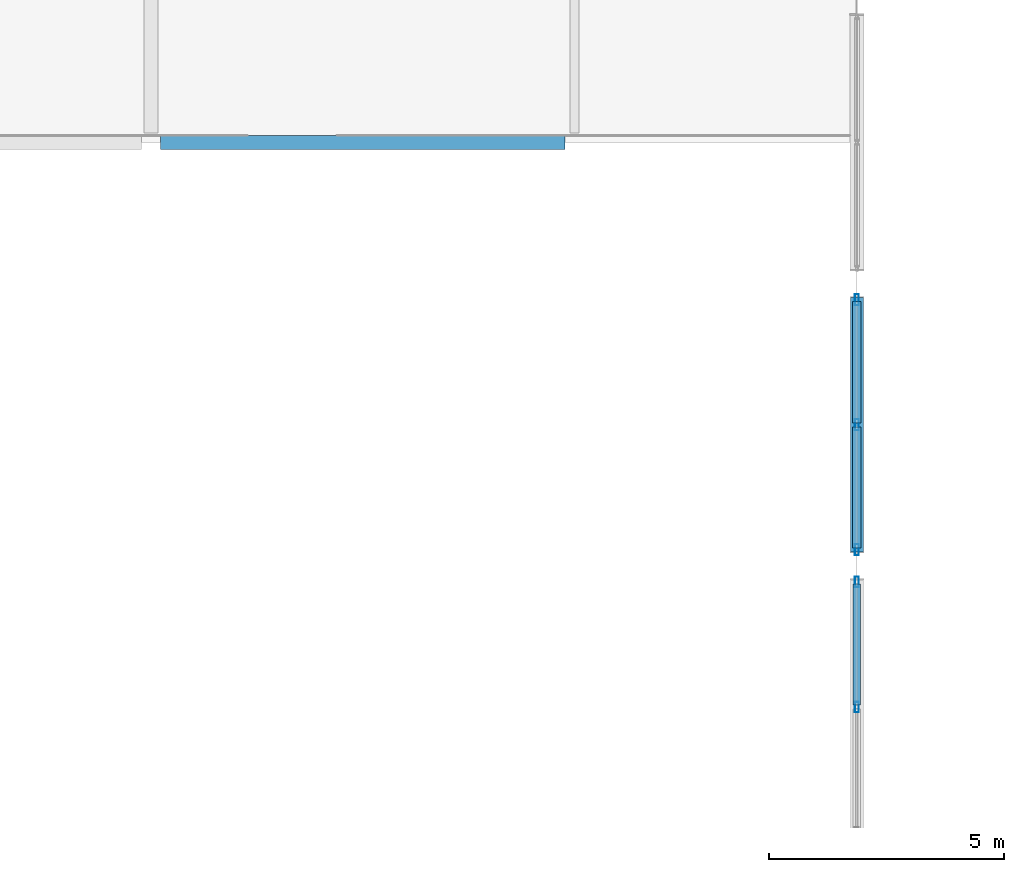
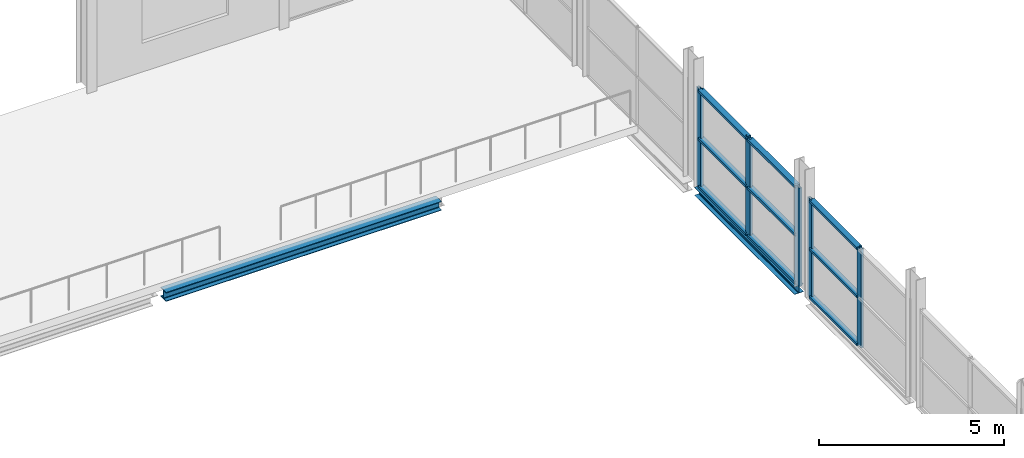
# One storey, part 34 of 135: 14 members, 2 beams, 2 elements without a shape of their own.
"""IFC4 building model written with IfcOpenShell, lengths in metres."""

from ifc_helpers import new_model, si_unit, direction, frame, origin, origin_2d, place, context, subcontext, project, spatial, hollow_rectangle, i_section, extrude, material, layer, layer_set, material_profile, profile_set, type_object, element, aggregate, save


model = new_model("IFC4")

# Units and contexts
model_context = context("Model", 3, precision=1e-05, world=origin(), true_north=direction((0.0, 1.0)))
body_context = subcontext(model_context, "Body", "Model", "MODEL_VIEW")
ifc_project = project(units=[si_unit("LENGTHUNIT", "METRE"), si_unit("AREAUNIT", "SQUARE_METRE"), si_unit("VOLUMEUNIT", "CUBIC_METRE"), si_unit("PLANEANGLEUNIT", "RADIAN"), si_unit("MASSUNIT", "GRAM", prefix="KILO")], contexts=[model_context])

# Site, building, storey
site_placement = place(None, origin())
site = spatial("IfcSite", under=ifc_project, at=site_placement, CompositionType="ELEMENT")
building_placement = place(site_placement, origin())
building = spatial("IfcBuilding", under=site, at=building_placement, Name="Deido Ridge Mobility Hub", CompositionType="ELEMENT")
storey_placement = place(building_placement, frame((0.0, 0.0, 4.199951171875)))
storey = spatial("IfcBuildingStorey", under=building, at=storey_placement, Name="L01", CompositionType="ELEMENT", Elevation=4.199951171875)

# Curtain wall, members
ifc_material_1 = material(Name="Anodised aluminium EN AW-6063 T6", Category="aluminium")
ifc_layer_1 = layer(ifc_material_1, 0.27001953125, Name="Anodised aluminium EN AW-6063 T6")
ifc_layer_set_1 = layer_set([ifc_layer_1], Name="Anodised aluminium EN AW-6063 T6")
curtain_wall_type_1 = type_object("IfcCurtainWallType", Name="CW-UF-8", PredefinedType="USERDEFINED", material=ifc_layer_set_1)
curtain_wall_1_placement = place(storey_placement, origin())
curtain_wall_1 = element("IfcCurtainWall", 1, at=curtain_wall_1_placement, inside=storey, type_object=curtain_wall_type_1, Name="Unitised curtain wall CW8", ObjectType="UNITISED FACADE", PredefinedType="USERDEFINED")
ifc_material_profile_1 = material_profile(ifc_material_1, hollow_rectangle(XDim=0.080078125, YDim=0.219970703125, WallThickness=0.00390625, at=origin_2d()), Name="RHS 80x220x4")
ifc_profile_set_1 = profile_set([ifc_material_profile_1], Name="Anodised aluminium EN AW-6063 T6")
member_type_1 = type_object("IfcMemberType", Name="MEM-MUL-80X220", PredefinedType="MULLION", material=ifc_profile_set_1)
member_1_placement = place(storey_placement, frame((60.0, 15.0, 0.0), z_axis=(0.0, 0.0, 1.0), x_axis=(-1.0, 0.0, 0.0)))
member_1 = element("IfcMember", 2, at=member_1_placement, type_object=member_type_1, Name="CW8 mullion 2", PredefinedType="MULLION", context=body_context, shape_type="SweptSolid", body=[
    extrude(hollow_rectangle(XDim=0.080078125, YDim=0.219970703125, WallThickness=0.00390625, at=origin_2d()), origin(), (0.0, 0.0, 1.0), 3.25),
])
member_2_placement = place(storey_placement, frame((60.0, 17.659912109375, 0.0), z_axis=(0.0, 0.0, 1.0), x_axis=(-1.0, 0.0, 0.0)))
member_2 = element("IfcMember", 3, at=member_2_placement, type_object=member_type_1, Name="CW8 mullion 3", PredefinedType="MULLION", context=body_context, shape_type="SweptSolid", body=[
    extrude(hollow_rectangle(XDim=0.080078125, YDim=0.219970703125, WallThickness=0.00390625, at=origin_2d()), origin(), (0.0, 0.0, 1.0), 3.25),
])

ifc_layer_2 = layer(ifc_material_1, 0.1650390625, Name="Anodised aluminium EN AW-6063 T6")
ifc_layer_set_2 = layer_set([ifc_layer_2], Name="Anodised aluminium EN AW-6063 T6")
curtain_wall_type_2 = type_object("IfcCurtainWallType", Name="CW-UF-1", PredefinedType="USERDEFINED", material=ifc_layer_set_2)
curtain_wall_2_placement = place(storey_placement, origin())
curtain_wall_2 = element("IfcCurtainWall", 4, at=curtain_wall_2_placement, inside=storey, type_object=curtain_wall_type_2, Name="Unitised curtain wall CW1", ObjectType="UNITISED FACADE", PredefinedType="USERDEFINED")
ifc_material_profile_2 = material_profile(ifc_material_1, hollow_rectangle(XDim=0.0849609375, YDim=0.235107421875, WallThickness=0.00390625, at=origin_2d()), Name="RHS 85x235x4")
ifc_profile_set_2 = profile_set([ifc_material_profile_2], Name="Anodised aluminium EN AW-6063 T6")
member_type_2 = type_object("IfcMemberType", Name="MEM-MUL-85X235", PredefinedType="MULLION", material=ifc_profile_set_2)
member_3_placement = place(storey_placement, frame((60.0, 18.342529296875, 0.0), z_axis=(0.0, 0.0, 1.0), x_axis=(-1.0, 0.0, 0.0)))
member_3 = element("IfcMember", 5, at=member_3_placement, type_object=member_type_2, Name="CW1 mullion 1", PredefinedType="MULLION", context=body_context, shape_type="SweptSolid", body=[
    extrude(hollow_rectangle(XDim=0.0849609375, YDim=0.235107421875, WallThickness=0.00390625, at=origin_2d()), origin(), (0.0, 0.0, 1.0), 3.25),
])
member_4_placement = place(storey_placement, frame((60.0, 21.0, 0.0), z_axis=(0.0, 0.0, 1.0), x_axis=(-1.0, 0.0, 0.0)))
member_4 = element("IfcMember", 6, at=member_4_placement, type_object=member_type_2, Name="CW1 mullion 2", PredefinedType="MULLION", context=body_context, shape_type="SweptSolid", body=[
    extrude(hollow_rectangle(XDim=0.0849609375, YDim=0.235107421875, WallThickness=0.00390625, at=origin_2d()), origin(), (0.0, 0.0, 1.0), 3.25),
])
member_5_placement = place(storey_placement, frame((60.0, 23.657470703125, 0.0), z_axis=(0.0, 0.0, 1.0), x_axis=(-1.0, 0.0, 0.0)))
member_5 = element("IfcMember", 7, at=member_5_placement, type_object=member_type_2, Name="CW1 mullion 3", PredefinedType="MULLION", context=body_context, shape_type="SweptSolid", body=[
    extrude(hollow_rectangle(XDim=0.0849609375, YDim=0.235107421875, WallThickness=0.00390625, at=origin_2d()), origin(), (0.0, 0.0, 1.0), 3.25),
])

# Member
ifc_material_profile_3 = material_profile(ifc_material_1, hollow_rectangle(XDim=0.1650390625, YDim=0.080078125, WallThickness=0.00390625, at=origin_2d()), Name="RHS 165x80x4")
ifc_profile_set_3 = profile_set([ifc_material_profile_3], Name="Anodised aluminium EN AW-6063 T6")
member_type_3 = type_object("IfcMemberType", Name="MEM-TRN-165X80", PredefinedType="USERDEFINED", material=ifc_profile_set_3)
member_6_placement = place(storey_placement, frame((60.0, 15.0400390625, 0.0400390625), z_axis=(0.0, 1.0, 0.0), x_axis=(-1.0, 0.0, 0.0)))
member_6 = element("IfcMember", 8, at=member_6_placement, type_object=member_type_3, Name="CW8 transom 2.1", ObjectType="TRANSOM", PredefinedType="USERDEFINED", context=body_context, shape_type="SweptSolid", body=[
    extrude(hollow_rectangle(XDim=0.1650390625, YDim=0.080078125, WallThickness=0.00390625, at=origin_2d()), origin(), (0.0, 0.0, 1.0), 2.580078125),
])

member_7_placement = place(storey_placement, frame((60.0, 15.0400390625, 1.625), z_axis=(0.0, 1.0, 0.0), x_axis=(-1.0, 0.0, 0.0)))
member_7 = element("IfcMember", 9, at=member_7_placement, type_object=member_type_3, Name="CW8 transom 2.2", ObjectType="TRANSOM", PredefinedType="USERDEFINED", context=body_context, shape_type="SweptSolid", body=[
    extrude(hollow_rectangle(XDim=0.1650390625, YDim=0.080078125, WallThickness=0.00390625, at=origin_2d()), origin(), (0.0, 0.0, 1.0), 2.580078125),
])

member_8_placement = place(storey_placement, frame((60.0, 15.0400390625, 3.2099609375), z_axis=(0.0, 1.0, 0.0), x_axis=(-1.0, 0.0, 0.0)))
member_8 = element("IfcMember", 10, at=member_8_placement, type_object=member_type_3, Name="CW8 transom 2.3", ObjectType="TRANSOM", PredefinedType="USERDEFINED", context=body_context, shape_type="SweptSolid", body=[
    extrude(hollow_rectangle(XDim=0.1650390625, YDim=0.080078125, WallThickness=0.00390625, at=origin_2d()), origin(), (0.0, 0.0, 1.0), 2.580078125),
])

aggregate(curtain_wall_1, [member_1, member_2, member_6, member_7, member_8])

ifc_material_profile_4 = material_profile(ifc_material_1, hollow_rectangle(XDim=0.175048828125, YDim=0.0849609375, WallThickness=0.00390625, at=origin_2d()), Name="RHS 175x85x4")
ifc_profile_set_4 = profile_set([ifc_material_profile_4], Name="Anodised aluminium EN AW-6063 T6")
member_type_4 = type_object("IfcMemberType", Name="MEM-TRN-175X85", PredefinedType="USERDEFINED", material=ifc_profile_set_4)
member_9_placement = place(storey_placement, frame((60.0, 18.385009765625, 0.04248046875), z_axis=(0.0, 1.0, 0.0), x_axis=(-1.0, 0.0, 0.0)))
member_9 = element("IfcMember", 11, at=member_9_placement, type_object=member_type_4, Name="CW1 transom 1.1", ObjectType="TRANSOM", PredefinedType="USERDEFINED", context=body_context, shape_type="SweptSolid", body=[
    extrude(hollow_rectangle(XDim=0.175048828125, YDim=0.0849609375, WallThickness=0.00390625, at=origin_2d()), origin(), (0.0, 0.0, 1.0), 2.572509765625),
])

member_10_placement = place(storey_placement, frame((60.0, 18.385009765625, 1.625), z_axis=(0.0, 1.0, 0.0), x_axis=(-1.0, 0.0, 0.0)))
member_10 = element("IfcMember", 12, at=member_10_placement, type_object=member_type_4, Name="CW1 transom 1.2", ObjectType="TRANSOM", PredefinedType="USERDEFINED", context=body_context, shape_type="SweptSolid", body=[
    extrude(hollow_rectangle(XDim=0.175048828125, YDim=0.0849609375, WallThickness=0.00390625, at=origin_2d()), origin(), (0.0, 0.0, 1.0), 2.572509765625),
])

member_11_placement = place(storey_placement, frame((60.0, 18.385009765625, 3.20751953125), z_axis=(0.0, 1.0, 0.0), x_axis=(-1.0, 0.0, 0.0)))
member_11 = element("IfcMember", 13, at=member_11_placement, type_object=member_type_4, Name="CW1 transom 1.3", ObjectType="TRANSOM", PredefinedType="USERDEFINED", context=body_context, shape_type="SweptSolid", body=[
    extrude(hollow_rectangle(XDim=0.175048828125, YDim=0.0849609375, WallThickness=0.00390625, at=origin_2d()), origin(), (0.0, 0.0, 1.0), 2.572509765625),
])

member_12_placement = place(storey_placement, frame((60.0, 21.04248046875, 0.04248046875), z_axis=(0.0, 1.0, 0.0), x_axis=(-1.0, 0.0, 0.0)))
member_12 = element("IfcMember", 14, at=member_12_placement, type_object=member_type_4, Name="CW1 transom 2.1", ObjectType="TRANSOM", PredefinedType="USERDEFINED", context=body_context, shape_type="SweptSolid", body=[
    extrude(hollow_rectangle(XDim=0.175048828125, YDim=0.0849609375, WallThickness=0.00390625, at=origin_2d()), origin(), (0.0, 0.0, 1.0), 2.572509765625),
])

member_13_placement = place(storey_placement, frame((60.0, 21.04248046875, 1.625), z_axis=(0.0, 1.0, 0.0), x_axis=(-1.0, 0.0, 0.0)))
member_13 = element("IfcMember", 15, at=member_13_placement, type_object=member_type_4, Name="CW1 transom 2.2", ObjectType="TRANSOM", PredefinedType="USERDEFINED", context=body_context, shape_type="SweptSolid", body=[
    extrude(hollow_rectangle(XDim=0.175048828125, YDim=0.0849609375, WallThickness=0.00390625, at=origin_2d()), origin(), (0.0, 0.0, 1.0), 2.572509765625),
])

member_14_placement = place(storey_placement, frame((60.0, 21.04248046875, 3.20751953125), z_axis=(0.0, 1.0, 0.0), x_axis=(-1.0, 0.0, 0.0)))
member_14 = element("IfcMember", 16, at=member_14_placement, type_object=member_type_4, Name="CW1 transom 2.3", ObjectType="TRANSOM", PredefinedType="USERDEFINED", context=body_context, shape_type="SweptSolid", body=[
    extrude(hollow_rectangle(XDim=0.175048828125, YDim=0.0849609375, WallThickness=0.00390625, at=origin_2d()), origin(), (0.0, 0.0, 1.0), 2.572509765625),
])

aggregate(curtain_wall_2, [member_3, member_4, member_5, member_9, member_10, member_11, member_12, member_13, member_14])

# Beams
ifc_material_2 = material(Name="Steel S355J2 EN 10025-2", Category="steel")
ifc_material_profile_5 = material_profile(ifc_material_2, i_section(OverallWidth=0.280029296875, OverallDepth=0.27001953125, WebThickness=0.008056640625, FlangeThickness=0.012939453125, FilletRadius=0.02392578125, at=origin_2d()), Name="HEA 280")
ifc_profile_set_5 = profile_set([ifc_material_profile_5], Name="Steel S355J2 EN 10025-2")
beam_type_1 = type_object("IfcBeamType", Name="SPD-HEA280", PredefinedType="SPANDREL", material=ifc_profile_set_5)
beam_1_placement = place(storey_placement, frame((60.0, 18.300048828125, -0.135009765625), z_axis=(0.0, 1.0, 0.0), x_axis=(-1.0, 0.0, 0.0)))
element("IfcBeam", 17, at=beam_1_placement, inside=storey, type_object=beam_type_1, Name="Concourse perimeter wind girt SP2", PredefinedType="SPANDREL", context=body_context, shape_type="SweptSolid", body=[
    extrude(i_section(OverallWidth=0.280029296875, OverallDepth=0.27001953125, WebThickness=0.008056640625, FlangeThickness=0.012939453125, FilletRadius=0.02392578125, at=origin_2d()), origin(), (0.0, 0.0, 1.0), 5.39990234375),
])
ifc_material_profile_6 = material_profile(ifc_material_2, i_section(OverallWidth=0.300048828125, OverallDepth=0.300048828125, WebThickness=0.010986328125, FlangeThickness=0.01904296875, FilletRadius=0.027099609375, at=origin_2d()), Name="HEB 300")
ifc_profile_set_6 = profile_set([ifc_material_profile_6], Name="Steel S355J2 EN 10025-2")
beam_type_2 = type_object("IfcBeamType", Name="SPD-HEB300", PredefinedType="SPANDREL", material=ifc_profile_set_6)
beam_2_placement = place(storey_placement, frame((45.203125, 27.0, -0.39990234375), z_axis=(1.0, 0.0, 0.0), x_axis=(0.0, 1.0, 0.0)))
element("IfcBeam", 18, at=beam_2_placement, inside=storey, type_object=beam_type_2, Name="Floor beam SP1", PredefinedType="SPANDREL", context=body_context, shape_type="SweptSolid", body=[
    extrude(i_section(OverallWidth=0.300048828125, OverallDepth=0.300048828125, WebThickness=0.010986328125, FlangeThickness=0.01904296875, FilletRadius=0.027099609375, at=origin_2d()), origin(), (0.0, 0.0, 1.0), 8.59375),
])

save(model, "model.ifc")
